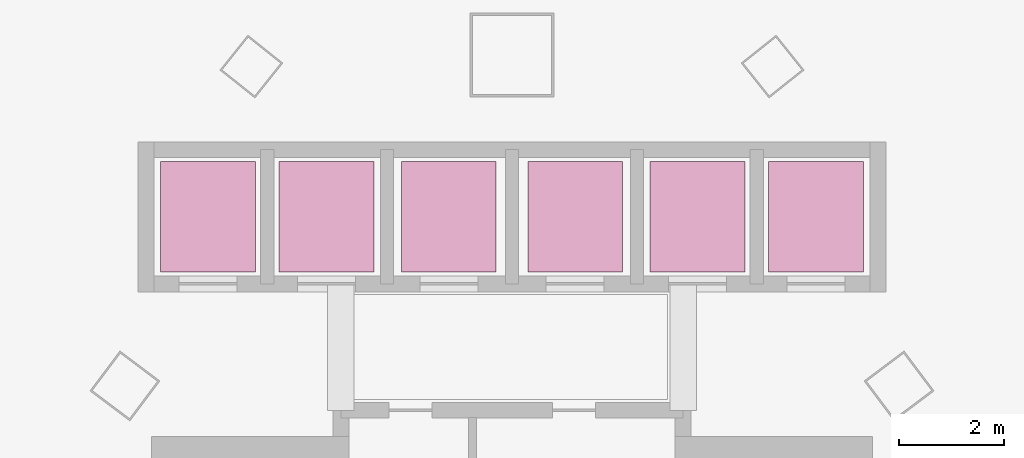
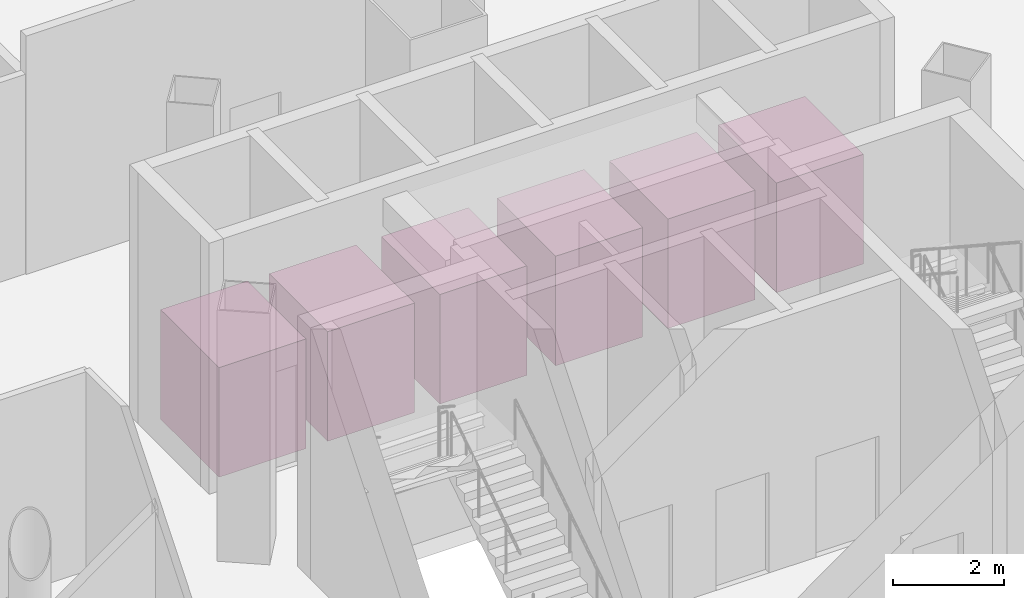
# One storey, part 38 of 38: 6 transport elements.
"""IFC4 building model written with IfcOpenShell, lengths in metres."""

from ifc_helpers import new_model, si_unit, direction, frame, origin, origin_2d, place, context, subcontext, project, spatial, rectangle, extrude, material, type_object, element, save


model = new_model("IFC4")

# Units and contexts
model_context = context("Model", 3, precision=1e-05, world=origin(), true_north=direction((0.0, 1.0)))
body_context = subcontext(model_context, "Body", "Model", "MODEL_VIEW")
ifc_project = project(units=[si_unit("LENGTHUNIT", "METRE"), si_unit("AREAUNIT", "SQUARE_METRE"), si_unit("VOLUMEUNIT", "CUBIC_METRE"), si_unit("PLANEANGLEUNIT", "RADIAN"), si_unit("MASSUNIT", "GRAM", prefix="KILO")], contexts=[model_context])

# Site, building, storey
site_placement = place(None, origin())
site = spatial("IfcSite", under=ifc_project, at=site_placement, CompositionType="ELEMENT")
building_placement = place(site_placement, origin())
building = spatial("IfcBuilding", under=site, at=building_placement, Name="Orvanel Arch Residences", CompositionType="ELEMENT")
storey_placement = place(building_placement, origin())
storey = spatial("IfcBuildingStorey", under=building, at=storey_placement, Name="L00", CompositionType="ELEMENT", Elevation=0.0)

# Transport elements
ifc_material = material(Name="Bronze-anodised aluminium AA6063-T6", Category="aluminium")
transport_element_type = type_object("IfcTransportElementType", Name="LFT-PAX-1600", PredefinedType="ELEVATOR", material=ifc_material)
for number, where, z_axis, x_axis, name in (
    (1, (27.22509765625, 38.324951171875, 0.0), (0.0, 0.0, 1.0), (1.0, 0.0, 0.0), "Low-Rise Passenger Lift P1"),
    (2, (38.77490234375, 38.324951171875, 0.0), (0.0, 0.0, 1.0), (1.0, 0.0, 0.0), "Low-Rise Passenger Lift P2"),
    (3, (29.47509765625, 38.324951171875, 0.0), (0.0, 0.0, 1.0), (1.0, 0.0, 0.0), "Mid-Rise Passenger Lift P3"),
    (4, (36.52490234375, 38.324951171875, 0.0), (0.0, 0.0, 1.0), (1.0, 0.0, 0.0), "Mid-Rise Passenger Lift P4"),
    (5, (31.800048828125, 38.324951171875, 0.0), (0.0, 0.0, 1.0), (1.0, 0.0, 0.0), "High-Rise Passenger Lift P5"),
    (6, (34.199951171875, 38.324951171875, 0.0), (0.0, 0.0, 1.0), (1.0, 0.0, 0.0), "High-Rise Passenger Lift P6"),
):
    element("IfcTransportElement", number, at=place(storey_placement, frame(where, z_axis=z_axis, x_axis=x_axis)), inside=storey, type_object=transport_element_type, Name=name, PredefinedType="ELEVATOR", context=body_context, shape_type="SweptSolid", body=[
        extrude(rectangle(XDim=1.800048828125, YDim=2.10009765625, at=origin_2d()), origin(), (0.0, 0.0, 1.0), 2.39990234375),
    ])

save(model, "model.ifc")
